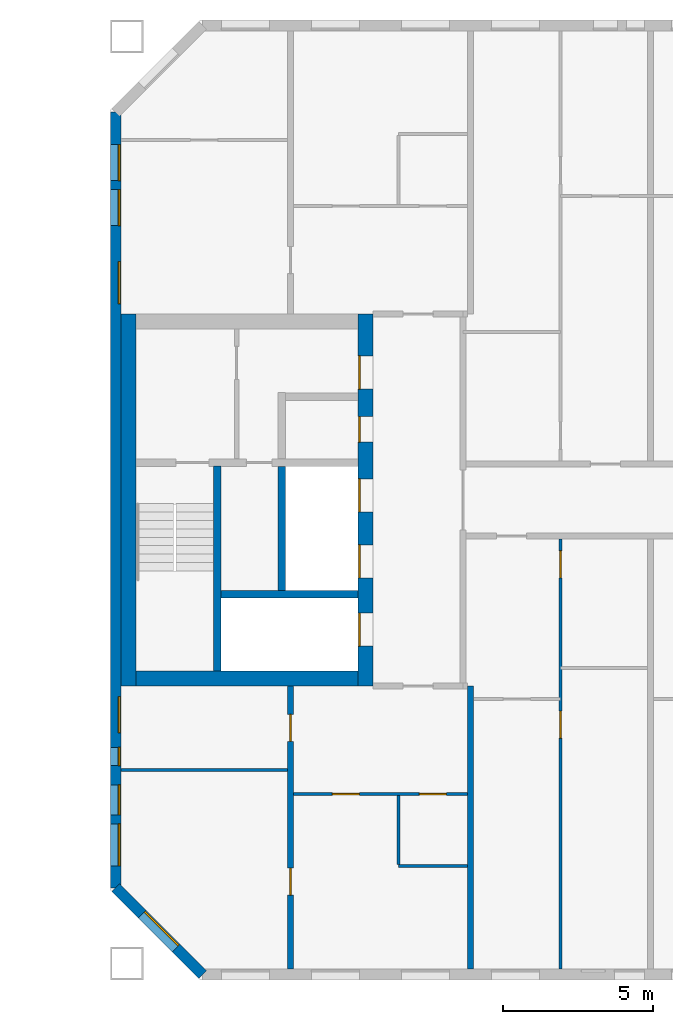
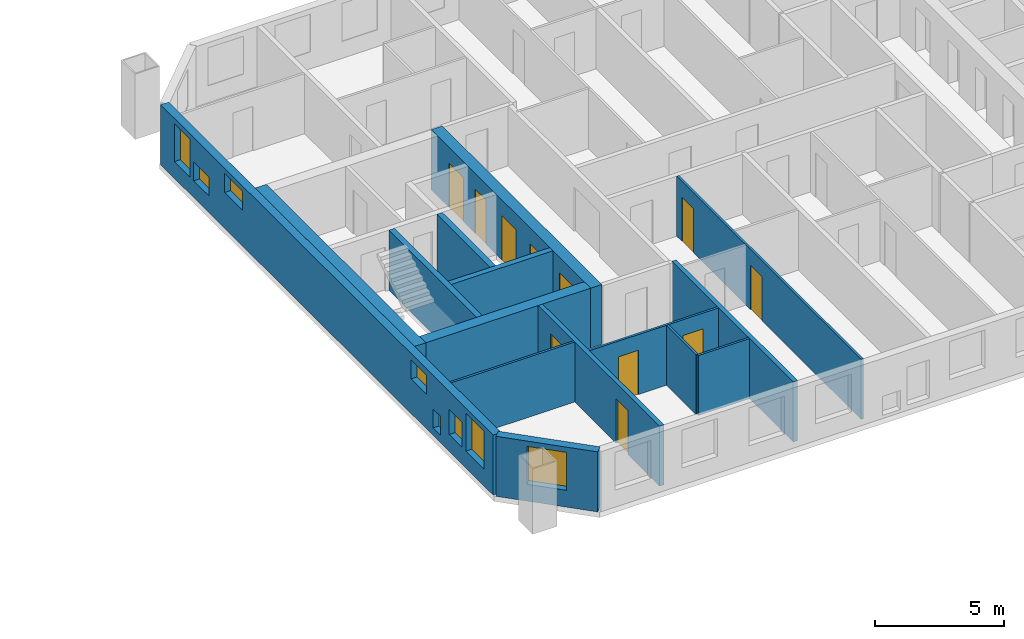
# One storey, part 8 of 15: 15 walls, 11 doors, 8 windows, 19 openings.
"""IFC4 building model written with IfcOpenShell, lengths in metres."""

from ifc_helpers import new_model, si_unit, direction, frame, frame_2d, origin, place, context, subcontext, project, spatial, rectangle, extrude, material, layer, layer_set, type_object, element, fill, save


model = new_model("IFC4")

# Units and contexts
model_context = context("Model", 3, precision=1e-05, world=origin(), true_north=direction((0.0, 1.0)))
body_context = subcontext(model_context, "Body", "Model", "MODEL_VIEW")
ifc_project = project(units=[si_unit("LENGTHUNIT", "METRE"), si_unit("AREAUNIT", "SQUARE_METRE"), si_unit("VOLUMEUNIT", "CUBIC_METRE"), si_unit("PLANEANGLEUNIT", "RADIAN"), si_unit("MASSUNIT", "GRAM", prefix="KILO")], contexts=[model_context])

# Site, building, storey
site_placement = place(None, origin())
site = spatial("IfcSite", under=ifc_project, at=site_placement, CompositionType="ELEMENT")
building_placement = place(site_placement, origin())
building = spatial("IfcBuilding", under=site, at=building_placement, Name="Tuart Gate Housing", CompositionType="ELEMENT")
storey_placement = place(building_placement, frame((0.0, 0.0, 160.89990234375)))
storey = spatial("IfcBuildingStorey", under=building, at=storey_placement, Name="L45", CompositionType="ELEMENT", Elevation=160.89990234375)

# Wall, opening, window
ifc_material_1 = material(Name="Brick", Category="masonry")
ifc_layer_1 = layer(ifc_material_1, 0.360107421875)
ifc_layer_set_1 = layer_set([ifc_layer_1], Name="Brick pier and spandrel wall 360")
wall_type_1 = type_object("IfcWallType", Name="Brick pier and spandrel wall 360", PredefinedType="STANDARD", material=ifc_layer_set_1)
wall_1_placement = place(storey_placement, frame((131.179931640625, 57.07470703125, 0.0), z_axis=(0.0, 0.0, 1.0), x_axis=(0.707106781187, -0.707106781187, 0.0)))
wall_1 = element("IfcWall", 1, at=wall_1_placement, inside=storey, type_object=wall_type_1, Name="External wall B-SW L45", PredefinedType="STANDARD", context=body_context, shape_type="SweptSolid", body=[
    extrude(rectangle(XDim=4.09375, YDim=0.360107421875, at=frame_2d((2.046875, 0.0))), origin(), (0.0, 0.0, 1.0), 2.85009765625),
])
opening_1_placement = place(wall_1_placement, frame((1.2470703125, 0.0, 0.800048828125)))
opening_1 = element("IfcOpeningElement", 2, at=opening_1_placement, cuts=wall_1, Name="Opening W1", PredefinedType="OPENING", context=body_context, shape_type="SweptSolid", body=[
    extrude(rectangle(XDim=1.60009765625, YDim=1.800048828125, at=frame_2d((0.800048828125, 0.89990234375))), frame((0.0, 0.18994140625, 0.0), z_axis=(0.0, -1.0, 0.0), x_axis=(1.0, 0.0, 0.0)), (0.0, 0.0, 1.0), 0.380126953125),
])
ifc_material_2 = material(Name="Aluminium frame with clear glass", Category="aluminium")
window_type_1 = type_object("IfcWindowType", Name="Punched window 1600 x 1800", PartitioningType="SINGLE_PANEL", PredefinedType="WINDOW", material=ifc_material_2)
window_1_placement = place(opening_1_placement, origin())
window_1 = element("IfcWindow", 3, at=window_1_placement, inside=storey, type_object=window_type_1, Name="Window W1", OverallHeight=1.800048828125, OverallWidth=1.60009765625, PartitioningType="SINGLE_PANEL", PredefinedType="WINDOW", context=body_context, shape_type="SweptSolid", body=[
    extrude(rectangle(XDim=1.60009765625, YDim=1.800048828125, at=frame_2d((0.800048828125, 0.89990234375))), frame((0.0, 0.150146484375, 0.0), z_axis=(0.0, -1.0, 0.0), x_axis=(1.0, 0.0, 0.0)), (0.0, 0.0, 1.0), 0.06005859375),
])
fill(opening_1, window_1)

# Wall, openings, windows
wall_2_placement = place(storey_placement, frame((131.179931640625, 82.92529296875, 0.0), z_axis=(0.0, 0.0, 1.0), x_axis=(0.0, -1.0, 0.0)))
wall_2 = element("IfcWall", 4, at=wall_2_placement, inside=storey, type_object=wall_type_1, Name="External wall B-W L45", PredefinedType="STANDARD", context=body_context, shape_type="SweptSolid", body=[
    extrude(rectangle(XDim=25.850830078125, YDim=0.360107421875, at=frame_2d((12.92529296875, 0.0))), origin(), (0.0, 0.0, 1.0), 2.85009765625),
])
opening_2_placement = place(wall_2_placement, frame((1.075439453125, 0.0, 0.800048828125)))
opening_2 = element("IfcOpeningElement", 5, at=opening_2_placement, cuts=wall_2, Name="Opening W1B", PredefinedType="OPENING", context=body_context, shape_type="SweptSolid", body=[
    extrude(rectangle(XDim=1.199951171875, YDim=1.800048828125, at=frame_2d((0.60009765625, 0.89990234375))), frame((0.0, 0.18994140625, 0.0), z_axis=(0.0, -1.0, 0.0), x_axis=(1.0, 0.0, 0.0)), (0.0, 0.0, 1.0), 0.380126953125),
])
opening_3_placement = place(wall_2_placement, frame((2.575439453125, 0.0, 0.800048828125)))
opening_3 = element("IfcOpeningElement", 6, at=opening_3_placement, cuts=wall_2, Name="Opening W1T", PredefinedType="OPENING", context=body_context, shape_type="SweptSolid", body=[
    extrude(rectangle(XDim=1.199951171875, YDim=0.89990234375, at=frame_2d((0.60009765625, 0.449951171875))), frame((0.0, 0.18994140625, 0.0), z_axis=(0.0, -1.0, 0.0), x_axis=(1.0, 0.0, 0.0)), (0.0, 0.0, 1.0), 0.380126953125),
])
opening_4_placement = place(wall_2_placement, frame((19.475341796875, 0.0, 1.64990234375)))
opening_4 = element("IfcOpeningElement", 7, at=opening_4_placement, cuts=wall_2, Name="Opening W1T", PredefinedType="OPENING", context=body_context, shape_type="SweptSolid", body=[
    extrude(rectangle(XDim=1.199951171875, YDim=0.89990234375, at=frame_2d((0.60009765625, 0.449951171875))), frame((0.0, 0.18994140625, 0.0), z_axis=(0.0, -1.0, 0.0), x_axis=(1.0, 0.0, 0.0)), (0.0, 0.0, 1.0), 0.380126953125),
])
opening_5_placement = place(wall_2_placement, frame((22.42529296875, 0.0, 0.800048828125)))
opening_5 = element("IfcOpeningElement", 8, at=opening_5_placement, cuts=wall_2, Name="Opening W1O", PredefinedType="OPENING", context=body_context, shape_type="SweptSolid", body=[
    extrude(rectangle(XDim=1.0, YDim=1.199951171875, at=frame_2d((0.5, 0.60009765625))), frame((0.0, 0.18994140625, 0.0), z_axis=(0.0, -1.0, 0.0), x_axis=(1.0, 0.0, 0.0)), (0.0, 0.0, 1.0), 0.380126953125),
])
opening_6_placement = place(wall_2_placement, frame((4.975341796875, 0.0, 1.699951171875)))
opening_6 = element("IfcOpeningElement", 9, at=opening_6_placement, cuts=wall_2, Name="Opening W1S", PredefinedType="OPENING", context=body_context, shape_type="SweptSolid", body=[
    extrude(rectangle(XDim=1.39990234375, YDim=0.89990234375, at=frame_2d((0.699951171875, 0.449951171875))), frame((0.0, 0.18994140625, 0.0), z_axis=(0.0, -1.0, 0.0), x_axis=(1.0, 0.0, 0.0)), (0.0, 0.0, 1.0), 0.380126953125),
])
opening_7_placement = place(wall_2_placement, frame((21.17529296875, 0.0, 0.35009765625)))
opening_7 = element("IfcOpeningElement", 10, at=opening_7_placement, cuts=wall_2, Name="Opening W1W", PredefinedType="OPENING", context=body_context, shape_type="SweptSolid", body=[
    extrude(rectangle(XDim=0.60009765625, YDim=0.89990234375, at=frame_2d((0.300048828125, 0.449951171875))), frame((0.0, 0.18994140625, 0.0), z_axis=(0.0, -1.0, 0.0), x_axis=(1.0, 0.0, 0.0)), (0.0, 0.0, 1.0), 0.380126953125),
])
opening_8_placement = place(wall_2_placement, frame((23.725341796875, 0.0, 0.800048828125)))
opening_8 = element("IfcOpeningElement", 11, at=opening_8_placement, cuts=wall_2, Name="Opening W1A", PredefinedType="OPENING", context=body_context, shape_type="SweptSolid", body=[
    extrude(rectangle(XDim=1.39990234375, YDim=1.800048828125, at=frame_2d((0.699951171875, 0.89990234375))), frame((0.0, 0.18994140625, 0.0), z_axis=(0.0, -1.0, 0.0), x_axis=(1.0, 0.0, 0.0)), (0.0, 0.0, 1.0), 0.380126953125),
])
ifc_material_3 = material(Name="Aluminium frame with clear glass", Category="aluminium")
window_type_2 = type_object("IfcWindowType", Name="Punched window 1000 x 1200", PartitioningType="SINGLE_PANEL", PredefinedType="WINDOW", material=ifc_material_3)
window_2_placement = place(opening_5_placement, origin())
window_2 = element("IfcWindow", 12, at=window_2_placement, inside=storey, type_object=window_type_2, Name="Window W1O", OverallHeight=1.199951171875, OverallWidth=1.0, PartitioningType="SINGLE_PANEL", PredefinedType="WINDOW", context=body_context, shape_type="SweptSolid", body=[
    extrude(rectangle(XDim=1.0, YDim=1.199951171875, at=frame_2d((0.5, 0.60009765625))), frame((0.0, 0.150146484375, 0.0), z_axis=(0.0, -1.0, 0.0), x_axis=(1.0, 0.0, 0.0)), (0.0, 0.0, 1.0), 0.06005859375),
])
fill(opening_5, window_2)
ifc_material_4 = material(Name="Aluminium frame with clear glass", Category="aluminium")
window_type_3 = type_object("IfcWindowType", Name="Punched window 1200 x 1800", PartitioningType="SINGLE_PANEL", PredefinedType="WINDOW", material=ifc_material_4)
window_3_placement = place(opening_2_placement, origin())
window_3 = element("IfcWindow", 13, at=window_3_placement, inside=storey, type_object=window_type_3, Name="Window W1B", OverallHeight=1.800048828125, OverallWidth=1.199951171875, PartitioningType="SINGLE_PANEL", PredefinedType="WINDOW", context=body_context, shape_type="SweptSolid", body=[
    extrude(rectangle(XDim=1.199951171875, YDim=1.800048828125, at=frame_2d((0.60009765625, 0.89990234375))), frame((0.0, 0.150146484375, 0.0), z_axis=(0.0, -1.0, 0.0), x_axis=(1.0, 0.0, 0.0)), (0.0, 0.0, 1.0), 0.06005859375),
])
fill(opening_2, window_3)
ifc_material_5 = material(Name="Aluminium frame with clear glass", Category="aluminium")
window_type_4 = type_object("IfcWindowType", Name="Punched window 1200 x 900", PartitioningType="SINGLE_PANEL", PredefinedType="WINDOW", material=ifc_material_5)
window_4_placement = place(opening_3_placement, origin())
window_4 = element("IfcWindow", 14, at=window_4_placement, inside=storey, type_object=window_type_4, Name="Window W1T", OverallHeight=0.89990234375, OverallWidth=1.199951171875, PartitioningType="SINGLE_PANEL", PredefinedType="WINDOW", context=body_context, shape_type="SweptSolid", body=[
    extrude(rectangle(XDim=1.199951171875, YDim=0.89990234375, at=frame_2d((0.60009765625, 0.449951171875))), frame((0.0, 0.150146484375, 0.0), z_axis=(0.0, -1.0, 0.0), x_axis=(1.0, 0.0, 0.0)), (0.0, 0.0, 1.0), 0.06005859375),
])
fill(opening_3, window_4)
window_5_placement = place(opening_4_placement, origin())
window_5 = element("IfcWindow", 15, at=window_5_placement, inside=storey, type_object=window_type_4, Name="Window W1T", OverallHeight=0.89990234375, OverallWidth=1.199951171875, PartitioningType="SINGLE_PANEL", PredefinedType="WINDOW", context=body_context, shape_type="SweptSolid", body=[
    extrude(rectangle(XDim=1.199951171875, YDim=0.89990234375, at=frame_2d((0.60009765625, 0.449951171875))), frame((0.0, 0.150146484375, 0.0), z_axis=(0.0, -1.0, 0.0), x_axis=(1.0, 0.0, 0.0)), (0.0, 0.0, 1.0), 0.06005859375),
])
fill(opening_4, window_5)
ifc_material_6 = material(Name="Aluminium frame with clear glass", Category="aluminium")
window_type_5 = type_object("IfcWindowType", Name="Punched window 1400 x 1800", PartitioningType="SINGLE_PANEL", PredefinedType="WINDOW", material=ifc_material_6)
window_6_placement = place(opening_8_placement, origin())
window_6 = element("IfcWindow", 16, at=window_6_placement, inside=storey, type_object=window_type_5, Name="Window W1A", OverallHeight=1.800048828125, OverallWidth=1.39990234375, PartitioningType="SINGLE_PANEL", PredefinedType="WINDOW", context=body_context, shape_type="SweptSolid", body=[
    extrude(rectangle(XDim=1.39990234375, YDim=1.800048828125, at=frame_2d((0.699951171875, 0.89990234375))), frame((0.0, 0.150146484375, 0.0), z_axis=(0.0, -1.0, 0.0), x_axis=(1.0, 0.0, 0.0)), (0.0, 0.0, 1.0), 0.06005859375),
])
fill(opening_8, window_6)
ifc_material_7 = material(Name="Aluminium frame with clear glass", Category="aluminium")
window_type_6 = type_object("IfcWindowType", Name="Punched window 1400 x 900", PartitioningType="SINGLE_PANEL", PredefinedType="WINDOW", material=ifc_material_7)
window_7_placement = place(opening_6_placement, origin())
window_7 = element("IfcWindow", 17, at=window_7_placement, inside=storey, type_object=window_type_6, Name="Window W1S", OverallHeight=0.89990234375, OverallWidth=1.39990234375, PartitioningType="SINGLE_PANEL", PredefinedType="WINDOW", context=body_context, shape_type="SweptSolid", body=[
    extrude(rectangle(XDim=1.39990234375, YDim=0.89990234375, at=frame_2d((0.699951171875, 0.449951171875))), frame((0.0, 0.150146484375, 0.0), z_axis=(0.0, -1.0, 0.0), x_axis=(1.0, 0.0, 0.0)), (0.0, 0.0, 1.0), 0.06005859375),
])
fill(opening_6, window_7)
ifc_material_8 = material(Name="Aluminium frame with clear glass", Category="aluminium")
window_type_7 = type_object("IfcWindowType", Name="Punched window 600 x 900", PartitioningType="SINGLE_PANEL", PredefinedType="WINDOW", material=ifc_material_8)
window_8_placement = place(opening_7_placement, origin())
window_8 = element("IfcWindow", 18, at=window_8_placement, inside=storey, type_object=window_type_7, Name="Window W1W", OverallHeight=0.89990234375, OverallWidth=0.60009765625, PartitioningType="SINGLE_PANEL", PredefinedType="WINDOW", context=body_context, shape_type="SweptSolid", body=[
    extrude(rectangle(XDim=0.60009765625, YDim=0.89990234375, at=frame_2d((0.300048828125, 0.449951171875))), frame((0.0, 0.150146484375, 0.0), z_axis=(0.0, -1.0, 0.0), x_axis=(1.0, 0.0, 0.0)), (0.0, 0.0, 1.0), 0.06005859375),
])
fill(opening_7, window_8)

# Walls
ifc_material_9 = material(Name="Concrete C40", Category="concrete")
ifc_layer_2 = layer(ifc_material_9, 0.25)
ifc_layer_set_2 = layer_set([ifc_layer_2], Name="Core wall 250 C40")
wall_type_2 = type_object("IfcWallType", Name="Core wall 250 C40", PredefinedType="SHEAR", material=ifc_layer_set_2)
wall_3_placement = place(storey_placement, frame((139.260009765625, 66.85009765625, 0.0), z_axis=(0.0, 0.0, 1.0), x_axis=(-1.0, 0.0, 0.0)))
element("IfcWall", 19, at=wall_3_placement, inside=storey, type_object=wall_type_2, Name="Core wall BG.1", PredefinedType="SHEAR", context=body_context, shape_type="SweptSolid", body=[
    extrude(rectangle(XDim=4.574951171875, YDim=0.25, at=frame_2d((2.28759765625, 0.0))), origin(), (0.0, 0.0, 1.0), 2.85009765625),
])
wall_4_placement = place(storey_placement, frame((136.7099609375, 66.97509765625, 0.0), z_axis=(0.0, 0.0, 1.0), x_axis=(0.0, 1.0, 0.0)))
element("IfcWall", 20, at=wall_4_placement, inside=storey, type_object=wall_type_2, Name="Core wall BG.4", PredefinedType="SHEAR", context=body_context, shape_type="SweptSolid", body=[
    extrude(rectangle(XDim=4.14990234375, YDim=0.25, at=frame_2d((2.074951171875, 0.0))), origin(), (0.0, 0.0, 1.0), 2.85009765625),
])
wall_5_placement = place(storey_placement, frame((134.56005859375, 64.300048828125, 0.0), z_axis=(0.0, 0.0, 1.0), x_axis=(0.0, 1.0, 0.0)))
element("IfcWall", 21, at=wall_5_placement, inside=storey, type_object=wall_type_2, Name="Core wall BG.7", PredefinedType="SHEAR", context=body_context, shape_type="SweptSolid", body=[
    extrude(rectangle(XDim=6.824951171875, YDim=0.25, at=frame_2d((3.41259765625, 0.0))), origin(), (0.0, 0.0, 1.0), 2.85009765625),
])

# Wall, openings, doors
ifc_material_10 = material(Name="Concrete C40", Category="concrete")
ifc_layer_3 = layer(ifc_material_10, 0.5)
ifc_layer_set_3 = layer_set([ifc_layer_3], Name="Core wall 500 C40")
wall_type_3 = type_object("IfcWallType", Name="Core wall 500 C40", PredefinedType="SHEAR", material=ifc_layer_set_3)
wall_6_placement = place(storey_placement, frame((139.510009765625, 63.800048828125, 0.0), z_axis=(0.0, 0.0, 1.0), x_axis=(0.0, 1.0, 0.0)))
wall_6 = element("IfcWall", 22, at=wall_6_placement, inside=storey, type_object=wall_type_3, Name="Core wall BG front", PredefinedType="SHEAR", context=body_context, shape_type="SweptSolid", body=[
    extrude(rectangle(XDim=12.39990234375, YDim=0.5, at=frame_2d((6.199951171875, 0.0))), origin(), (0.0, 0.0, 1.0), 2.85009765625),
])
opening_9_placement = place(wall_6_placement, frame((1.324951171875, 0.0, 0.0)))
opening_9 = element("IfcOpeningElement", 23, at=opening_9_placement, cuts=wall_6, Name="Opening LD-FB1", PredefinedType="OPENING", context=body_context, shape_type="SweptSolid", body=[
    extrude(rectangle(XDim=1.10009765625, YDim=2.10009765625, at=frame_2d((0.550048828125, 1.050048828125))), frame((0.0, 0.260009765625, 0.0), z_axis=(0.0, -1.0, 0.0), x_axis=(1.0, 0.0, 0.0)), (0.0, 0.0, 1.0), 0.52001953125),
])
opening_10_placement = place(wall_6_placement, frame((3.60009765625, 0.0, 0.0)))
opening_10 = element("IfcOpeningElement", 24, at=opening_10_placement, cuts=wall_6, Name="Opening LD-LB1", PredefinedType="OPENING", context=body_context, shape_type="SweptSolid", body=[
    extrude(rectangle(XDim=1.10009765625, YDim=2.10009765625, at=frame_2d((0.550048828125, 1.050048828125))), frame((0.0, 0.260009765625, 0.0), z_axis=(0.0, -1.0, 0.0), x_axis=(1.0, 0.0, 0.0)), (0.0, 0.0, 1.0), 0.52001953125),
])
opening_11_placement = place(wall_6_placement, frame((5.800048828125, 0.0, 0.0)))
opening_11 = element("IfcOpeningElement", 25, at=opening_11_placement, cuts=wall_6, Name="Opening LD-LB2", PredefinedType="OPENING", context=body_context, shape_type="SweptSolid", body=[
    extrude(rectangle(XDim=1.10009765625, YDim=2.10009765625, at=frame_2d((0.550048828125, 1.050048828125))), frame((0.0, 0.260009765625, 0.0), z_axis=(0.0, -1.0, 0.0), x_axis=(1.0, 0.0, 0.0)), (0.0, 0.0, 1.0), 0.52001953125),
])
opening_12_placement = place(wall_6_placement, frame((9.89990234375, 0.0, 0.0)))
opening_12 = element("IfcOpeningElement", 26, at=opening_12_placement, cuts=wall_6, Name="Opening D1704", PredefinedType="OPENING", context=body_context, shape_type="SweptSolid", body=[
    extrude(rectangle(XDim=1.10009765625, YDim=2.10009765625, at=frame_2d((0.550048828125, 1.050048828125))), frame((0.0, 0.260009765625, 0.0), z_axis=(0.0, -1.0, 0.0), x_axis=(1.0, 0.0, 0.0)), (0.0, 0.0, 1.0), 0.52001953125),
])
opening_13_placement = place(wall_6_placement, frame((8.125, 0.0, 0.0)))
opening_13 = element("IfcOpeningElement", 27, at=opening_13_placement, cuts=wall_6, Name="Opening D1705", PredefinedType="OPENING", context=body_context, shape_type="SweptSolid", body=[
    extrude(rectangle(XDim=0.85009765625, YDim=2.10009765625, at=frame_2d((0.425048828125, 1.050048828125))), frame((0.0, 0.260009765625, 0.0), z_axis=(0.0, -1.0, 0.0), x_axis=(1.0, 0.0, 0.0)), (0.0, 0.0, 1.0), 0.52001953125),
])
ifc_material_11 = material(Name="Stainless steel", Category="steel")
door_type_1 = type_object("IfcDoorType", Name="Landing door 1100 x 2100", OperationType="DOUBLE_DOOR_SLIDING", PredefinedType="DOOR", material=ifc_material_11)
door_1_placement = place(opening_9_placement, origin())
door_1 = element("IfcDoor", 28, at=door_1_placement, inside=storey, type_object=door_type_1, Name="Lift landing door FB1", OperationType="DOUBLE_DOOR_SLIDING", OverallHeight=2.10009765625, OverallWidth=1.10009765625, PredefinedType="DOOR", context=body_context, shape_type="SweptSolid", body=[
    extrude(rectangle(XDim=1.10009765625, YDim=2.10009765625, at=frame_2d((0.550048828125, 1.050048828125))), frame((0.0, 0.23486328125, 0.0), z_axis=(0.0, -1.0, 0.0), x_axis=(1.0, 0.0, 0.0)), (0.0, 0.0, 1.0), 0.050048828125),
])
fill(opening_9, door_1)
door_2_placement = place(opening_10_placement, origin())
door_2 = element("IfcDoor", 29, at=door_2_placement, inside=storey, type_object=door_type_1, Name="Lift landing door LB1", OperationType="DOUBLE_DOOR_SLIDING", OverallHeight=2.10009765625, OverallWidth=1.10009765625, PredefinedType="DOOR", context=body_context, shape_type="SweptSolid", body=[
    extrude(rectangle(XDim=1.10009765625, YDim=2.10009765625, at=frame_2d((0.550048828125, 1.050048828125))), frame((0.0, 0.23486328125, 0.0), z_axis=(0.0, -1.0, 0.0), x_axis=(1.0, 0.0, 0.0)), (0.0, 0.0, 1.0), 0.050048828125),
])
fill(opening_10, door_2)
door_3_placement = place(opening_11_placement, origin())
door_3 = element("IfcDoor", 30, at=door_3_placement, inside=storey, type_object=door_type_1, Name="Lift landing door LB2", OperationType="DOUBLE_DOOR_SLIDING", OverallHeight=2.10009765625, OverallWidth=1.10009765625, PredefinedType="DOOR", context=body_context, shape_type="SweptSolid", body=[
    extrude(rectangle(XDim=1.10009765625, YDim=2.10009765625, at=frame_2d((0.550048828125, 1.050048828125))), frame((0.0, 0.23486328125, 0.0), z_axis=(0.0, -1.0, 0.0), x_axis=(1.0, 0.0, 0.0)), (0.0, 0.0, 1.0), 0.050048828125),
])
fill(opening_11, door_3)
ifc_material_12 = material(Name="Steel fire door", Category="steel")
door_type_2 = type_object("IfcDoorType", Name="Lobby door 1100 x 2100", OperationType="SINGLE_SWING_LEFT", PredefinedType="DOOR", material=ifc_material_12)
door_4_placement = place(opening_12_placement, origin())
door_4 = element("IfcDoor", 31, at=door_4_placement, inside=storey, type_object=door_type_2, Name="Lobby entry door BG.EN", OperationType="SINGLE_SWING_LEFT", OverallHeight=2.10009765625, OverallWidth=1.10009765625, PredefinedType="DOOR", context=body_context, shape_type="SweptSolid", body=[
    extrude(rectangle(XDim=1.10009765625, YDim=2.10009765625, at=frame_2d((0.550048828125, 1.050048828125))), frame((0.0, 0.23486328125, 0.0), z_axis=(0.0, -1.0, 0.0), x_axis=(1.0, 0.0, 0.0)), (0.0, 0.0, 1.0), 0.050048828125),
])
fill(opening_12, door_4)
ifc_material_13 = material(Name="Steel fire door", Category="steel")
door_type_3 = type_object("IfcDoorType", Name="Service door 850 x 2100", OperationType="SINGLE_SWING_LEFT", PredefinedType="DOOR", material=ifc_material_13)
door_5_placement = place(opening_13_placement, origin())
door_5 = element("IfcDoor", 32, at=door_5_placement, inside=storey, type_object=door_type_3, Name="Service room door BG.T1", OperationType="SINGLE_SWING_LEFT", OverallHeight=2.10009765625, OverallWidth=0.85009765625, PredefinedType="DOOR", context=body_context, shape_type="SweptSolid", body=[
    extrude(rectangle(XDim=0.85009765625, YDim=2.10009765625, at=frame_2d((0.425048828125, 1.050048828125))), frame((0.0, 0.23486328125, 0.0), z_axis=(0.0, -1.0, 0.0), x_axis=(1.0, 0.0, 0.0)), (0.0, 0.0, 1.0), 0.050048828125),
])
fill(opening_13, door_5)

# Walls
wall_7_placement = place(storey_placement, frame((131.610107421875, 63.800048828125, 0.0), z_axis=(0.0, 0.0, 1.0), x_axis=(0.0, 1.0, 0.0)))
element("IfcWall", 33, at=wall_7_placement, inside=storey, type_object=wall_type_3, Name="Core wall BG back", PredefinedType="SHEAR", context=body_context, shape_type="SweptSolid", body=[
    extrude(rectangle(XDim=12.39990234375, YDim=0.5, at=frame_2d((6.199951171875, 0.0))), origin(), (0.0, 0.0, 1.0), 2.85009765625),
])
wall_8_placement = place(storey_placement, frame((139.260009765625, 64.050048828125, 0.0), z_axis=(0.0, 0.0, 1.0), x_axis=(-1.0, 0.0, 0.0)))
element("IfcWall", 34, at=wall_8_placement, inside=storey, type_object=wall_type_3, Name="Core wall BG south", PredefinedType="SHEAR", context=body_context, shape_type="SweptSolid", body=[
    extrude(rectangle(XDim=7.39990234375, YDim=0.5, at=frame_2d((3.699951171875, 0.0))), origin(), (0.0, 0.0, 1.0), 2.85009765625),
])
ifc_material_14 = material(Name="Gypsum board on steel studs", Category="steel")
ifc_layer_4 = layer(ifc_material_14, 0.10009765625)
ifc_layer_set_4 = layer_set([ifc_layer_4], Name="Partition 100")
wall_type_4 = type_object("IfcWallType", Name="Partition 100", PredefinedType="PARTITIONING", material=ifc_layer_set_4)
wall_9_placement = place(storey_placement, frame((140.60009765625, 57.800048828125, 0.0), z_axis=(0.0, 0.0, 1.0), x_axis=(1.0, 0.0, 0.0)))
element("IfcWall", 35, at=wall_9_placement, inside=storey, type_object=wall_type_4, Name="Partition 100", PredefinedType="PARTITIONING", context=body_context, shape_type="SweptSolid", body=[
    extrude(rectangle(XDim=2.2998046875, YDim=0.10009765625, at=frame_2d((1.14990234375, 0.0))), origin(), (0.0, 0.0, 1.0), 2.85009765625),
])

# Wall, openings, doors
wall_10_placement = place(storey_placement, frame((137.10009765625, 60.199951171875, 0.0), z_axis=(0.0, 0.0, 1.0), x_axis=(1.0, 0.0, 0.0)))
wall_10 = element("IfcWall", 36, at=wall_10_placement, inside=storey, type_object=wall_type_4, Name="Partition 100", PredefinedType="PARTITIONING", context=body_context, shape_type="SweptSolid", body=[
    extrude(rectangle(XDim=5.7998046875, YDim=0.10009765625, at=frame_2d((2.89990234375, 0.0))), origin(), (0.0, 0.0, 1.0), 2.85009765625),
])
opening_14_placement = place(wall_10_placement, frame((1.300048828125, 0.0, 0.0)))
opening_14 = element("IfcOpeningElement", 37, at=opening_14_placement, cuts=wall_10, Name="Opening D1727", PredefinedType="OPENING", context=body_context, shape_type="SweptSolid", body=[
    extrude(rectangle(XDim=0.89990234375, YDim=2.10009765625, at=frame_2d((0.449951171875, 1.050048828125))), frame((0.0, 0.06005859375, 0.0), z_axis=(0.0, -1.0, 0.0), x_axis=(1.0, 0.0, 0.0)), (0.0, 0.0, 1.0), 0.1201171875),
])
opening_15_placement = place(wall_10_placement, frame((4.199951171875, 0.0, 0.0)))
opening_15 = element("IfcOpeningElement", 38, at=opening_15_placement, cuts=wall_10, Name="Opening D1726", PredefinedType="OPENING", context=body_context, shape_type="SweptSolid", body=[
    extrude(rectangle(XDim=0.89990234375, YDim=2.10009765625, at=frame_2d((0.449951171875, 1.050048828125))), frame((0.0, 0.06005859375, 0.0), z_axis=(0.0, -1.0, 0.0), x_axis=(1.0, 0.0, 0.0)), (0.0, 0.0, 1.0), 0.1201171875),
])
ifc_material_15 = material(Name="Timber door leaf in steel frame", Category="steel")
door_type_4 = type_object("IfcDoorType", Name="Bathroom door 900 RH", OperationType="SINGLE_SWING_RIGHT", PredefinedType="DOOR", material=ifc_material_15)
door_6_placement = place(opening_15_placement, frame((0.89990234375, 0.0, 0.0), z_axis=(0.0, 0.0, 1.0), x_axis=(-1.0, 0.0, 0.0)))
door_6 = element("IfcDoor", 39, at=door_6_placement, inside=storey, type_object=door_type_4, Name="Bathroom door", OperationType="SINGLE_SWING_RIGHT", OverallHeight=2.10009765625, OverallWidth=0.89990234375, PredefinedType="DOOR", context=body_context, shape_type="SweptSolid", body=[
    extrude(rectangle(XDim=0.89990234375, YDim=2.10009765625, at=frame_2d((0.449951171875, 1.050048828125))), frame((0.0, 0.025146484375, 0.0), z_axis=(0.0, -1.0, 0.0), x_axis=(1.0, 0.0, 0.0)), (0.0, 0.0, 1.0), 0.050048828125),
])
fill(opening_15, door_6)
ifc_material_16 = material(Name="Timber door leaf in steel frame", Category="steel")
door_type_5 = type_object("IfcDoorType", Name="Internal door 900", OperationType="SINGLE_SWING_LEFT", PredefinedType="DOOR", material=ifc_material_16)
door_7_placement = place(opening_14_placement, origin())
door_7 = element("IfcDoor", 40, at=door_7_placement, inside=storey, type_object=door_type_5, Name="Internal door", OperationType="SINGLE_SWING_LEFT", OverallHeight=2.10009765625, OverallWidth=0.89990234375, PredefinedType="DOOR", context=body_context, shape_type="SweptSolid", body=[
    extrude(rectangle(XDim=0.89990234375, YDim=2.10009765625, at=frame_2d((0.449951171875, 1.050048828125))), frame((0.0, 0.02490234375, 0.0), z_axis=(0.0, -1.0, 0.0), x_axis=(1.0, 0.0, 0.0)), (0.0, 0.0, 1.0), 0.050048828125),
])
fill(opening_14, door_7)

# Walls
wall_11_placement = place(storey_placement, frame((131.360107421875, 61.0, 0.0), z_axis=(0.0, 0.0, 1.0), x_axis=(1.0, 0.0, 0.0)))
element("IfcWall", 41, at=wall_11_placement, inside=storey, type_object=wall_type_4, Name="Partition 100", PredefinedType="PARTITIONING", context=body_context, shape_type="SweptSolid", body=[
    extrude(rectangle(XDim=5.539794921875, YDim=0.10009765625, at=frame_2d((2.77001953125, 0.0))), origin(), (0.0, 0.0, 1.0), 2.85009765625),
])
wall_12_placement = place(storey_placement, frame((140.60009765625, 57.85009765625, 0.0), z_axis=(0.0, 0.0, 1.0), x_axis=(0.0, 1.0, 0.0)))
element("IfcWall", 42, at=wall_12_placement, inside=storey, type_object=wall_type_4, Name="Partition 100", PredefinedType="PARTITIONING", context=body_context, shape_type="SweptSolid", body=[
    extrude(rectangle(XDim=2.2998046875, YDim=0.10009765625, at=frame_2d((1.14990234375, 0.0))), origin(), (0.0, 0.0, 1.0), 2.85009765625),
])

# Wall, openings, doors
wall_13_placement = place(storey_placement, frame((146.0, 54.360107421875, 0.0), z_axis=(0.0, 0.0, 1.0), x_axis=(0.0, 1.0, 0.0)))
wall_13 = element("IfcWall", 43, at=wall_13_placement, inside=storey, type_object=wall_type_4, Name="Partition 100", PredefinedType="PARTITIONING", context=body_context, shape_type="SweptSolid", body=[
    extrude(rectangle(XDim=14.33984375, YDim=0.10009765625, at=frame_2d((7.169921875, 0.0))), origin(), (0.0, 0.0, 1.0), 2.85009765625),
])
opening_16_placement = place(wall_13_placement, frame((7.699951171875, 0.0, 0.0)))
opening_16 = element("IfcOpeningElement", 44, at=opening_16_placement, cuts=wall_13, Name="Opening D1721", PredefinedType="OPENING", context=body_context, shape_type="SweptSolid", body=[
    extrude(rectangle(XDim=0.89990234375, YDim=2.10009765625, at=frame_2d((0.449951171875, 1.050048828125))), frame((0.0, 0.06005859375, 0.0), z_axis=(0.0, -1.0, 0.0), x_axis=(1.0, 0.0, 0.0)), (0.0, 0.0, 1.0), 0.1201171875),
])
opening_17_placement = place(wall_13_placement, frame((13.0400390625, 0.0, 0.0)))
opening_17 = element("IfcOpeningElement", 45, at=opening_17_placement, cuts=wall_13, Name="Opening D1720", PredefinedType="OPENING", context=body_context, shape_type="SweptSolid", body=[
    extrude(rectangle(XDim=0.89990234375, YDim=2.10009765625, at=frame_2d((0.449951171875, 1.050048828125))), frame((0.0, 0.06005859375, 0.0), z_axis=(0.0, -1.0, 0.0), x_axis=(1.0, 0.0, 0.0)), (0.0, 0.0, 1.0), 0.1201171875),
])
ifc_material_17 = material(Name="Timber door leaf in steel frame", Category="steel")
door_type_6 = type_object("IfcDoorType", Name="Bathroom door 900", OperationType="SINGLE_SWING_LEFT", PredefinedType="DOOR", material=ifc_material_17)
door_8_placement = place(opening_17_placement, frame((0.89990234375, 0.0, 0.0), z_axis=(0.0, 0.0, 1.0), x_axis=(-1.0, 0.0, 0.0)))
door_8 = element("IfcDoor", 46, at=door_8_placement, inside=storey, type_object=door_type_6, Name="Bathroom door", OperationType="SINGLE_SWING_LEFT", OverallHeight=2.10009765625, OverallWidth=0.89990234375, PredefinedType="DOOR", context=body_context, shape_type="SweptSolid", body=[
    extrude(rectangle(XDim=0.89990234375, YDim=2.10009765625, at=frame_2d((0.449951171875, 1.050048828125))), frame((0.0, 0.025146484375, 0.0), z_axis=(0.0, -1.0, 0.0), x_axis=(1.0, 0.0, 0.0)), (0.0, 0.0, 1.0), 0.050048828125),
])
fill(opening_17, door_8)
door_9_placement = place(opening_16_placement, frame((0.89990234375, 0.0, 0.0), z_axis=(0.0, 0.0, 1.0), x_axis=(-1.0, 0.0, 0.0)))
door_9 = element("IfcDoor", 47, at=door_9_placement, inside=storey, type_object=door_type_5, Name="Internal door", OperationType="SINGLE_SWING_LEFT", OverallHeight=2.10009765625, OverallWidth=0.89990234375, PredefinedType="DOOR", context=body_context, shape_type="SweptSolid", body=[
    extrude(rectangle(XDim=0.89990234375, YDim=2.10009765625, at=frame_2d((0.449951171875, 1.050048828125))), frame((0.0, 0.025146484375, 0.0), z_axis=(0.0, -1.0, 0.0), x_axis=(1.0, 0.0, 0.0)), (0.0, 0.0, 1.0), 0.050048828125),
])
fill(opening_16, door_9)

ifc_material_18 = material(Name="Concrete C40", Category="concrete")
ifc_layer_5 = layer(ifc_material_18, 0.199951171875)
ifc_layer_set_5 = layer_set([ifc_layer_5], Name="Party wall concrete C40 200")
wall_type_5 = type_object("IfcWallType", Name="Party wall concrete C40 200", PredefinedType="SOLIDWALL", material=ifc_layer_set_5)
wall_14_placement = place(storey_placement, frame((137.0, 54.360107421875, 0.0), z_axis=(0.0, 0.0, 1.0), x_axis=(0.0, 1.0, 0.0)))
wall_14 = element("IfcWall", 48, at=wall_14_placement, inside=storey, type_object=wall_type_5, Name="Party wall concrete C40 200", PredefinedType="SOLIDWALL", context=body_context, shape_type="SweptSolid", body=[
    extrude(rectangle(XDim=9.43994140625, YDim=0.199951171875, at=frame_2d((4.719970703125, 0.0))), origin(), (0.0, 0.0, 1.0), 2.85009765625),
])
opening_18_placement = place(wall_14_placement, frame((2.469970703125, 0.0, 0.0)))
opening_18 = element("IfcOpeningElement", 49, at=opening_18_placement, cuts=wall_14, Name="Opening D1729", PredefinedType="OPENING", context=body_context, shape_type="SweptSolid", body=[
    extrude(rectangle(XDim=0.89990234375, YDim=2.10009765625, at=frame_2d((0.449951171875, 1.050048828125))), frame((0.0, 0.10986328125, 0.0), z_axis=(0.0, -1.0, 0.0), x_axis=(1.0, 0.0, 0.0)), (0.0, 0.0, 1.0), 0.219970703125),
])
opening_19_placement = place(wall_14_placement, frame((7.590087890625, 0.0, 0.0)))
opening_19 = element("IfcOpeningElement", 50, at=opening_19_placement, cuts=wall_14, Name="Opening D1730", PredefinedType="OPENING", context=body_context, shape_type="SweptSolid", body=[
    extrude(rectangle(XDim=0.89990234375, YDim=2.10009765625, at=frame_2d((0.449951171875, 1.050048828125))), frame((0.0, 0.10986328125, 0.0), z_axis=(0.0, -1.0, 0.0), x_axis=(1.0, 0.0, 0.0)), (0.0, 0.0, 1.0), 0.219970703125),
])
door_10_placement = place(opening_18_placement, origin())
door_10 = element("IfcDoor", 51, at=door_10_placement, inside=storey, type_object=door_type_5, Name="Internal door", OperationType="SINGLE_SWING_LEFT", OverallHeight=2.10009765625, OverallWidth=0.89990234375, PredefinedType="DOOR", context=body_context, shape_type="SweptSolid", body=[
    extrude(rectangle(XDim=0.89990234375, YDim=2.10009765625, at=frame_2d((0.449951171875, 1.050048828125))), frame((0.0, 0.02490234375, 0.0), z_axis=(0.0, -1.0, 0.0), x_axis=(1.0, 0.0, 0.0)), (0.0, 0.0, 1.0), 0.050048828125),
])
fill(opening_18, door_10)
door_11_placement = place(opening_19_placement, origin())
door_11 = element("IfcDoor", 52, at=door_11_placement, inside=storey, type_object=door_type_5, Name="Internal door", OperationType="SINGLE_SWING_LEFT", OverallHeight=2.10009765625, OverallWidth=0.89990234375, PredefinedType="DOOR", context=body_context, shape_type="SweptSolid", body=[
    extrude(rectangle(XDim=0.89990234375, YDim=2.10009765625, at=frame_2d((0.449951171875, 1.050048828125))), frame((0.0, 0.02490234375, 0.0), z_axis=(0.0, -1.0, 0.0), x_axis=(1.0, 0.0, 0.0)), (0.0, 0.0, 1.0), 0.050048828125),
])
fill(opening_19, door_11)

# Wall
wall_15_placement = place(storey_placement, frame((143.0, 54.360107421875, 0.0), z_axis=(0.0, 0.0, 1.0), x_axis=(0.0, 1.0, 0.0)))
element("IfcWall", 53, at=wall_15_placement, inside=storey, type_object=wall_type_5, Name="Party wall concrete C40 200", PredefinedType="SOLIDWALL", context=body_context, shape_type="SweptSolid", body=[
    extrude(rectangle(XDim=9.43994140625, YDim=0.199951171875, at=frame_2d((4.719970703125, 0.0))), origin(), (0.0, 0.0, 1.0), 2.85009765625),
])

save(model, "model.ifc")
